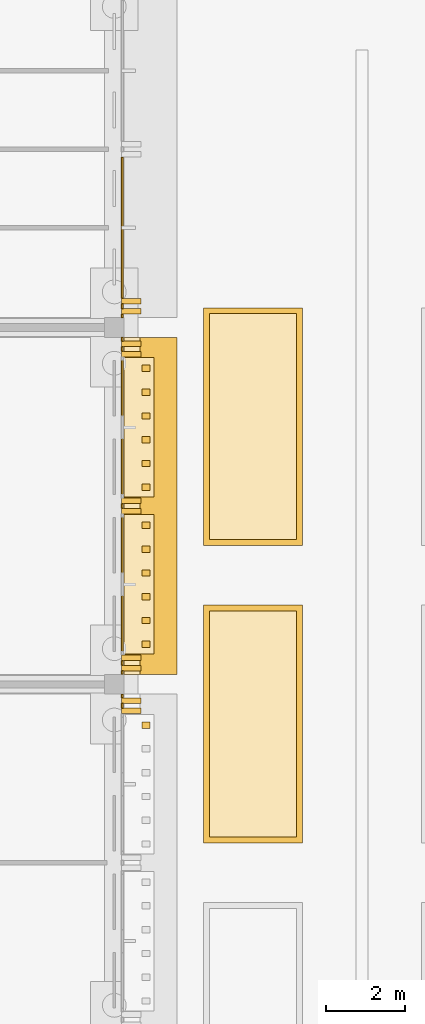
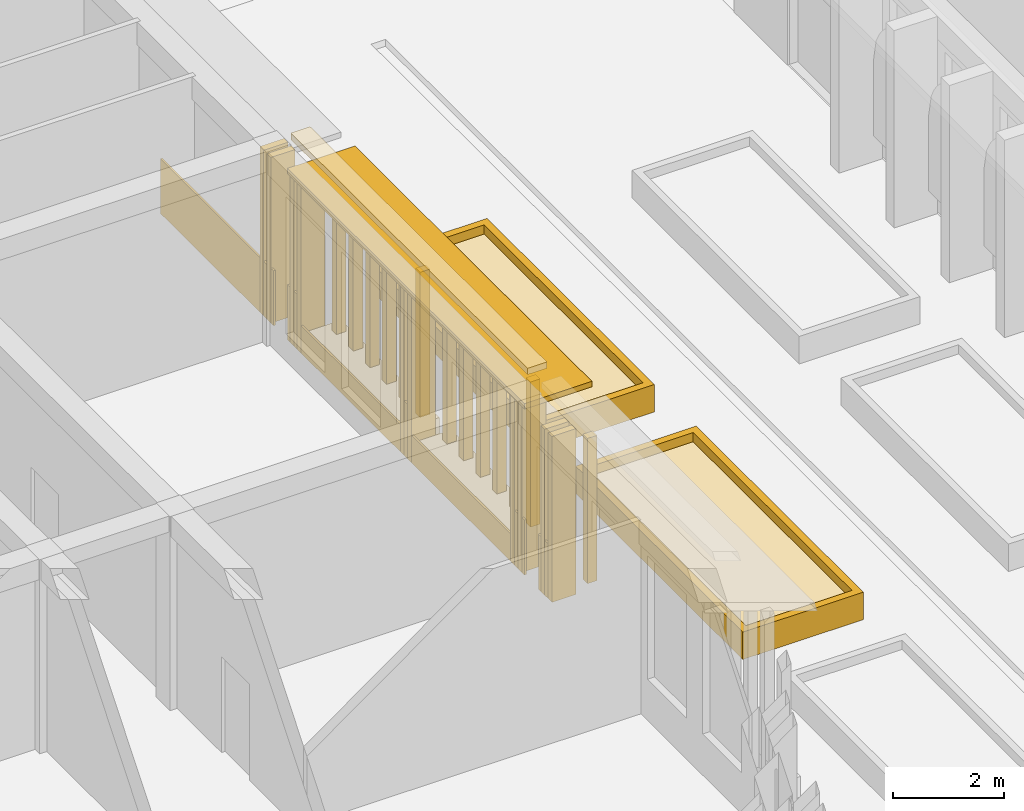
# One storey, part 133 of 161: 42 coverings, 1 shading device.
"""IFC4 building model written with IfcOpenShell, lengths in metres."""

import ifcopenshell
import ifcopenshell.guid

model = None  # the IFC model being written
_history = None  # IfcOwnerHistory: only IFC2X3 demands one
_inside = {}  # id of a spatial element -> (the spatial element, [elements in it])
_under = {}  # id of a project, library or spatial element -> (it, [spatial elements below it])
_declared = {}  # id of a project -> (the project, [libraries it declares])
_typed = {}  # id of a type object -> (the type object, [elements of that type])
_made_of = {}  # id of a material, layer set ... -> (it, [elements and type objects made of it])


def new_model(schema):
    """Start an empty IFC model of exactly this schema.

    Asked for "IFC4X3", IfcOpenShell would pick the latest addendum, in which some entities
    have other attributes; the version numbers below select the first issue.
    IFC2X3 requires an IfcOwnerHistory on every rooted entity: one is made here for all.
    """
    global model, _history
    if schema == "IFC4X3":
        model = ifcopenshell.file(schema_version=(4, 3, 0, 0))
    else:
        model = ifcopenshell.file(schema=schema)
    _inside.clear()
    _under.clear()
    _declared.clear()
    _typed.clear()
    _made_of.clear()
    _history = None
    if model.schema == "IFC2X3":
        org = make("IfcOrganization", Name="unknown")
        user = make(
            "IfcPersonAndOrganization",
            ThePerson=make("IfcPerson", FamilyName="unknown"),
            TheOrganization=org,
        )
        app = make(
            "IfcApplication",
            ApplicationDeveloper=org,
            Version="unknown",
            ApplicationFullName="unknown",
            ApplicationIdentifier="unknown",
        )
        _history = make(
            "IfcOwnerHistory",
            OwningUser=user,
            OwningApplication=app,
            ChangeAction="ADDED",
            CreationDate=0,
        )
    return model


def make(cls, **values):
    """One entity of the class cls with the attributes given. An attribute that is None is left unset."""
    return model.create_entity(
        cls, **{name: value for name, value in values.items() if value is not None}
    )


def rooted(cls, **values):
    """An entity with a GlobalId (a new one), such as an element, a storey or a relation."""
    return make(cls, GlobalId=ifcopenshell.guid.new(), OwnerHistory=_history, **values)


def si_unit(unit_type, name, prefix=None):
    """IfcSIUnit, for example si_unit("LENGTHUNIT", "METRE", prefix="MILLI")."""
    return make("IfcSIUnit", UnitType=unit_type, Prefix=prefix, Name=name)


def assignment(units):
    """IfcUnitAssignment: the units of a project."""
    return None if units is None else make("IfcUnitAssignment", Units=units)


def point(xyz):
    """IfcCartesianPoint."""
    return None if xyz is None else make("IfcCartesianPoint", Coordinates=xyz)


def direction(xyz):
    """IfcDirection."""
    return None if xyz is None else make("IfcDirection", DirectionRatios=xyz)


def frame(location, z_axis=None, x_axis=None):
    """IfcAxis2Placement3D, a coordinate frame: its origin and axes. An axis left out is left unset."""
    return make(
        "IfcAxis2Placement3D",
        Location=point(location),
        Axis=direction(z_axis),
        RefDirection=direction(x_axis),
    )


def frame_2d(location, x_axis=None):
    """IfcAxis2Placement2D, a coordinate frame in the plane: its origin and x axis."""
    return make(
        "IfcAxis2Placement2D", Location=point(location), RefDirection=direction(x_axis)
    )


def origin():
    """The frame at (0, 0, 0) with its axes left unset."""
    return frame((0.0, 0.0, 0.0))


def origin_2d():
    """The frame at (0, 0) in the plane with its x axis left unset."""
    return frame_2d((0.0, 0.0))


def place(relative_to, where):
    """IfcLocalPlacement: puts the frame where relative to a parent placement (None: the world)."""
    return make(
        "IfcLocalPlacement", PlacementRelTo=relative_to, RelativePlacement=where
    )


def context(
    kind, dimensions, precision=None, world=None, true_north=None, identifier=None
):
    """IfcGeometricRepresentationContext, for example the 3D "Model" context."""
    return make(
        "IfcGeometricRepresentationContext",
        ContextIdentifier=identifier,
        ContextType=kind,
        CoordinateSpaceDimension=dimensions,
        Precision=precision,
        WorldCoordinateSystem=world,
        TrueNorth=true_north,
    )


def subcontext(parent, identifier, kind, view, scale=None):
    """IfcGeometricRepresentationSubContext, for example "Body" below "Model"."""
    return make(
        "IfcGeometricRepresentationSubContext",
        ContextIdentifier=identifier,
        ContextType=kind,
        ParentContext=parent,
        TargetScale=scale,
        TargetView=view,
    )


def project(units=None, contexts=None):
    """IfcProject with its units and contexts."""
    return rooted(
        "IfcProject",
        Name="project",
        RepresentationContexts=contexts,
        UnitsInContext=assignment(units),
    )


def spatial(cls, under=None, at=None, **own):
    """A site, building, storey or space (cls), placed at a placement, below another one or the project."""
    s = rooted(cls, ObjectPlacement=at, **own)
    if under is not None:
        _under.setdefault(under.id(), (under, []))[1].append(s)
    return s


def polyline(points):
    """IfcPolyline through the points."""
    return make("IfcPolyline", Points=[point(p) for p in points])


def profile(cls, at=None, kind="AREA", **sizes):
    """A parametric profile (cls). Its sizes go by their IFC names, for example OverallWidth=200.0."""
    return make(cls, ProfileType=kind, Position=at, **sizes)


def rectangle(**sizes):
    """IfcRectangleProfileDef."""
    return profile("IfcRectangleProfileDef", **sizes)


def outline(outer, holes=None, kind="AREA"):
    """IfcArbitraryClosedProfileDef: a profile drawn as a closed curve; with holes, ...WithVoids."""
    if holes is None:
        return make("IfcArbitraryClosedProfileDef", ProfileType=kind, OuterCurve=outer)
    return make(
        "IfcArbitraryProfileDefWithVoids",
        ProfileType=kind,
        OuterCurve=outer,
        InnerCurves=holes,
    )


def extrude(swept, where, along, depth):
    """IfcExtrudedAreaSolid: the profile swept, set in the frame where, extruded along a direction by depth."""
    return make(
        "IfcExtrudedAreaSolid",
        SweptArea=swept,
        Position=where,
        ExtrudedDirection=direction(along),
        Depth=depth,
    )


def shape(context_of_items, identifier, shape_type, items):
    """IfcShapeRepresentation: the items that make up one representation, for example the "Body"."""
    return make(
        "IfcShapeRepresentation",
        ContextOfItems=context_of_items,
        RepresentationIdentifier=identifier,
        RepresentationType=shape_type,
        Items=items,
    )


def material(Name=None, Category=None):
    """IfcMaterial."""
    return make("IfcMaterial", Name=Name, Category=Category)


def layer(
    of_material, thickness, ventilated=None, Name=None, Category=None, Priority=None
):
    """IfcMaterialLayer: one layer of a wall or slab, of a material (None: an air gap)."""
    return make(
        "IfcMaterialLayer",
        Material=of_material,
        LayerThickness=thickness,
        IsVentilated=ventilated,
        Name=Name,
        Category=Category,
        Priority=Priority,
    )


def layer_set(layers, Name=None):
    """IfcMaterialLayerSet."""
    return make("IfcMaterialLayerSet", MaterialLayers=layers, LayerSetName=Name)


def made_of(thing, what):
    """Note that an element or type object is made of a material, layer set ...; save() writes the relation."""
    if what is not None:
        _made_of.setdefault(what.id(), (what, []))[1].append(thing)
    return thing


def type_object(cls, material=None, **own):
    """A type object (cls), such as IfcWallType, which elements share."""
    return made_of(rooted(cls, **own), material)


def element(
    cls,
    number,
    at=None,
    inside=None,
    cuts=None,
    type_object=None,
    material=None,
    context=None,
    identifier="Body",
    shape_type=None,
    held_by="IfcProductDefinitionShape",
    body=None,
    shapes=None,
    **own,
):
    """One element of the class cls, such as IfcWall. Its Tag is "e" and its number.

    at: its placement. inside: the storey or other place that contains it. cuts: it is an
    opening in that element (IfcRelVoidsElement). A single representation is given by context,
    identifier, shape_type and body (its items); several are given by shapes. held_by: the class
    of the entity that holds the representations. save() writes the other relations.
    """
    e = rooted(cls, Tag="e%d" % number, ObjectPlacement=at, **own)
    if body is not None:
        shapes = [shape(context, identifier, shape_type, body)]
    if shapes is not None:
        e.Representation = make(held_by, Representations=shapes)
    if inside is not None:
        _inside.setdefault(inside.id(), (inside, []))[1].append(e)
    if cuts is not None:
        rooted(
            "IfcRelVoidsElement", RelatingBuildingElement=cuts, RelatedOpeningElement=e
        )
    if type_object is not None:
        _typed.setdefault(type_object.id(), (type_object, []))[1].append(e)
    return made_of(e, material)


def aggregate(whole, parts):
    """IfcRelAggregates: a whole, such as a stair, and the parts it consists of."""
    return rooted("IfcRelAggregates", RelatingObject=whole, RelatedObjects=parts)


def save(model, path):
    """Write the relations noted so far, then the file.

    IfcRelAggregates (storeys below a building ...), IfcRelContainedInSpatialStructure (elements
    in a storey), IfcRelDefinesByType, IfcRelAssociatesMaterial and IfcRelDeclares: one each for
    every whole, place, type object, material and project.
    """
    for whole, parts in _under.values():
        aggregate(whole, parts)
    for where, things in _inside.values():
        rooted(
            "IfcRelContainedInSpatialStructure",
            RelatedElements=things,
            RelatingStructure=where,
        )
    for kind, things in _typed.values():
        rooted("IfcRelDefinesByType", RelatedObjects=things, RelatingType=kind)
    for what, things in _made_of.values():
        rooted("IfcRelAssociatesMaterial", RelatedObjects=things, RelatingMaterial=what)
    for by, libraries in _declared.values():
        rooted("IfcRelDeclares", RelatingContext=by, RelatedDefinitions=libraries)
    model.write(path)


model = new_model("IFC4")

# Units and contexts
model_context = context("Model", 3, precision=1e-05, world=origin(), true_north=direction((0.0, 1.0)))
body_context = subcontext(model_context, "Body", "Model", "MODEL_VIEW")
ifc_project = project(units=[si_unit("LENGTHUNIT", "METRE"), si_unit("AREAUNIT", "SQUARE_METRE"), si_unit("VOLUMEUNIT", "CUBIC_METRE"), si_unit("PLANEANGLEUNIT", "RADIAN"), si_unit("MASSUNIT", "GRAM", prefix="KILO")], contexts=[model_context])

# Site, building, storey
site_placement = place(None, origin())
site = spatial("IfcSite", under=ifc_project, at=site_placement, CompositionType="ELEMENT")
building_placement = place(site_placement, origin())
building = spatial("IfcBuilding", under=site, at=building_placement, Name="Elbe Cascade School", CompositionType="ELEMENT")
storey_placement = place(building_placement, origin())
storey = spatial("IfcBuildingStorey", under=building, at=storey_placement, Name="L00", CompositionType="ELEMENT", Elevation=0.0)

# Shading device
ifc_material_1 = material(Name="Precast concrete C30/37", Category="concrete")
ifc_layer_1 = layer(ifc_material_1, 0.1201171875)
ifc_layer_set_1 = layer_set([ifc_layer_1], Name="Precast concrete C30/37")
shading_device_type = type_object("IfcShadingDeviceType", Name="Bars envelope Chhajja eave, precast concrete, 1400 x 120", PredefinedType="USERDEFINED", material=ifc_layer_set_1)
shading_device_placement = place(storey_placement, frame((146.179931640625, 46.5, 3.6298828125), z_axis=(0.0, 0.0, 1.0), x_axis=(0.0, 1.0, 0.0)))
element("IfcShadingDevice", 1, at=shading_device_placement, inside=storey, type_object=shading_device_type, Name="Chhajja eave SD8 C.L00.e5", ObjectType="CHHAJJA", PredefinedType="USERDEFINED", context=body_context, shape_type="SweptSolid", body=[
    extrude(rectangle(XDim=8.5, YDim=1.39990234375, at=origin_2d()), origin(), (0.0, 0.0, 1.0), 0.1201171875),
])

# Coverings
ifc_material_2 = material(Name="Precast concrete C40/50", Category="concrete")
covering_type_1 = type_object("IfcCoveringType", Name="Bars envelope Precast concrete fin, 140 wide, 500 deep", PredefinedType="CLADDING", material=ifc_material_2)
for number, where, z_axis, x_axis, name in (
    (2, (145.72998046875, 41.330078125, 0.0), (0.0, 0.0, 1.0), (0.0, 1.0, 0.0), "Fin CV62 C.L00.e4.5"),
    (3, (145.72998046875, 41.590087890625, 0.0), (0.0, 0.0, 1.0), (0.0, 1.0, 0.0), "Fin CV62 C.L00.e4.6"),
    (4, (145.72998046875, 42.409912109375, 0.0), (0.0, 0.0, 1.0), (0.0, 1.0, 0.0), "Fin CV62 C.L00.e5.1"),
    (5, (145.72998046875, 42.669921875, 0.0), (0.0, 0.0, 1.0), (0.0, 1.0, 0.0), "Fin CV62 C.L00.e5.2"),
    (6, (145.72998046875, 46.3701171875, 0.0), (0.0, 0.0, 1.0), (0.0, 1.0, 0.0), "Fin CV62 C.L00.e5.3"),
    (7, (145.72998046875, 46.6298828125, 0.0), (0.0, 0.0, 1.0), (0.0, 1.0, 0.0), "Fin CV62 C.L00.e5.4"),
    (8, (145.72998046875, 50.330078125, 0.0), (0.0, 0.0, 1.0), (0.0, 1.0, 0.0), "Fin CV62 C.L00.e5.5"),
    (9, (145.72998046875, 50.590087890625, 0.0), (0.0, 0.0, 1.0), (0.0, 1.0, 0.0), "Fin CV62 C.L00.e5.6"),
    (10, (145.72998046875, 51.409912109375, 0.0), (0.0, 0.0, 1.0), (0.0, 1.0, 0.0), "Fin CV62 C.L00.e6.1"),
    (11, (145.72998046875, 51.669921875, 0.0), (0.0, 0.0, 1.0), (0.0, 1.0, 0.0), "Fin CV62 C.L00.e6.2"),
):
    element("IfcCovering", number, at=place(storey_placement, frame(where, z_axis=z_axis, x_axis=x_axis)), inside=storey, type_object=covering_type_1, Name=name, PredefinedType="CLADDING", context=body_context, shape_type="SweptSolid", body=[
        extrude(rectangle(XDim=0.139892578125, YDim=0.5, at=origin_2d()), origin(), (0.0, 0.0, 1.0), 3.6298828125),
    ])
ifc_material_3 = material(Name="Sandstone - red", Category="masonry")
ifc_layer_2 = layer(ifc_material_3, 0.0400390625)
ifc_layer_set_2 = layer_set([ifc_layer_2], Name="Sandstone - red")
covering_type_2 = type_object("IfcCoveringType", Name="Bars envelope Sandstone cladding, red, 40 mm", PredefinedType="CLADDING", material=ifc_layer_set_2)
covering_1_placement = place(storey_placement, frame((145.5, 41.4599609375, 0.0), z_axis=(0.0, 0.0, 1.0), x_axis=(0.0, 1.0, 0.0)))
element("IfcCovering", 12, at=covering_1_placement, inside=storey, type_object=covering_type_2, Name="Sandstone cladding CV48 C.L00.e.4.6", PredefinedType="CLADDING", context=body_context, shape_type="SweptSolid", body=[
    extrude(rectangle(XDim=0.1201171875, YDim=0.0400390625, at=origin_2d()), origin(), (0.0, 0.0, 1.0), 1.199951171875),
])
for number, where, z_axis, x_axis, name in (
    (13, (145.5, 41.705078125, 0.0), (0.0, 0.0, 1.0), (0.0, 1.0, 0.0), "Sandstone cladding CV48 C.L00.e.4.7"),
    (14, (145.5, 42.294921875, 0.0), (0.0, 0.0, 1.0), (0.0, 1.0, 0.0), "Sandstone cladding CV48 C.L00.e.5.1"),
):
    element("IfcCovering", number, at=place(storey_placement, frame(where, z_axis=z_axis, x_axis=x_axis)), inside=storey, type_object=covering_type_2, Name=name, PredefinedType="CLADDING", context=body_context, shape_type="SweptSolid", body=[
        extrude(rectangle(XDim=0.090087890625, YDim=0.0400390625, at=origin_2d()), origin(), (0.0, 0.0, 1.0), 1.199951171875),
    ])
covering_2_placement = place(storey_placement, frame((145.5, 42.5400390625, 0.0), z_axis=(0.0, 0.0, 1.0), x_axis=(0.0, 1.0, 0.0)))
element("IfcCovering", 15, at=covering_2_placement, inside=storey, type_object=covering_type_2, Name="Sandstone cladding CV48 C.L00.e.5.2", PredefinedType="CLADDING", context=body_context, shape_type="SweptSolid", body=[
    extrude(rectangle(XDim=0.1201171875, YDim=0.0400390625, at=origin_2d()), origin(), (0.0, 0.0, 1.0), 1.199951171875),
])
covering_3_placement = place(storey_placement, frame((145.5, 44.52001953125, 0.0), z_axis=(0.0, 0.0, 1.0), x_axis=(0.0, 1.0, 0.0)))
element("IfcCovering", 16, at=covering_3_placement, inside=storey, type_object=covering_type_2, Name="Sandstone cladding CV48 C.L00.e.5.3", PredefinedType="CLADDING", context=body_context, shape_type="SweptSolid", body=[
    extrude(rectangle(XDim=3.56005859375, YDim=0.0400390625, at=origin_2d()), origin(), (0.0, 0.0, 1.0), 0.60009765625),
])
covering_4_placement = place(storey_placement, frame((145.5, 46.5, 0.0), z_axis=(0.0, 0.0, 1.0), x_axis=(0.0, 1.0, 0.0)))
element("IfcCovering", 17, at=covering_4_placement, inside=storey, type_object=covering_type_2, Name="Sandstone cladding CV48 C.L00.e.5.4", PredefinedType="CLADDING", context=body_context, shape_type="SweptSolid", body=[
    extrude(rectangle(XDim=0.1201171875, YDim=0.0400390625, at=origin_2d()), origin(), (0.0, 0.0, 1.0), 1.199951171875),
])
covering_5_placement = place(storey_placement, frame((145.5, 48.47998046875, 0.0), z_axis=(0.0, 0.0, 1.0), x_axis=(0.0, 1.0, 0.0)))
element("IfcCovering", 18, at=covering_5_placement, inside=storey, type_object=covering_type_2, Name="Sandstone cladding CV48 C.L00.e.5.5", PredefinedType="CLADDING", context=body_context, shape_type="SweptSolid", body=[
    extrude(rectangle(XDim=3.56005859375, YDim=0.0400390625, at=origin_2d()), origin(), (0.0, 0.0, 1.0), 0.60009765625),
])
covering_6_placement = place(storey_placement, frame((145.5, 50.4599609375, 0.0), z_axis=(0.0, 0.0, 1.0), x_axis=(0.0, 1.0, 0.0)))
element("IfcCovering", 19, at=covering_6_placement, inside=storey, type_object=covering_type_2, Name="Sandstone cladding CV48 C.L00.e.5.6", PredefinedType="CLADDING", context=body_context, shape_type="SweptSolid", body=[
    extrude(rectangle(XDim=0.1201171875, YDim=0.0400390625, at=origin_2d()), origin(), (0.0, 0.0, 1.0), 1.199951171875),
])
for number, where, z_axis, x_axis, name in (
    (20, (145.5, 50.705078125, 0.0), (0.0, 0.0, 1.0), (0.0, 1.0, 0.0), "Sandstone cladding CV48 C.L00.e.5.7"),
    (21, (145.5, 51.294921875, 0.0), (0.0, 0.0, 1.0), (0.0, 1.0, 0.0), "Sandstone cladding CV48 C.L00.e.6.1"),
):
    element("IfcCovering", number, at=place(storey_placement, frame(where, z_axis=z_axis, x_axis=x_axis)), inside=storey, type_object=covering_type_2, Name=name, PredefinedType="CLADDING", context=body_context, shape_type="SweptSolid", body=[
        extrude(rectangle(XDim=0.090087890625, YDim=0.0400390625, at=origin_2d()), origin(), (0.0, 0.0, 1.0), 1.199951171875),
    ])
covering_7_placement = place(storey_placement, frame((145.5, 51.5400390625, 0.0), z_axis=(0.0, 0.0, 1.0), x_axis=(0.0, 1.0, 0.0)))
element("IfcCovering", 22, at=covering_7_placement, inside=storey, type_object=covering_type_2, Name="Sandstone cladding CV48 C.L00.e.6.2", PredefinedType="CLADDING", context=body_context, shape_type="SweptSolid", body=[
    extrude(rectangle(XDim=0.1201171875, YDim=0.0400390625, at=origin_2d()), origin(), (0.0, 0.0, 1.0), 1.199951171875),
])
covering_8_placement = place(storey_placement, frame((145.5, 53.52001953125, 0.0), z_axis=(0.0, 0.0, 1.0), x_axis=(0.0, 1.0, 0.0)))
element("IfcCovering", 23, at=covering_8_placement, inside=storey, type_object=covering_type_2, Name="Sandstone cladding CV48 C.L00.e.6.3", PredefinedType="CLADDING", context=body_context, shape_type="SweptSolid", body=[
    extrude(rectangle(XDim=3.56005859375, YDim=0.0400390625, at=origin_2d()), origin(), (0.0, 0.0, 1.0), 1.199951171875),
])
ifc_material_4 = material(Name="Sandstone - red", Category="masonry")
covering_type_3 = type_object("IfcCoveringType", Name="Bars envelope Sandstone floor ledge, 400 deep", PredefinedType="CLADDING", material=ifc_material_4)
covering_9_placement = place(storey_placement, frame((145.75, 46.5, 4.35986328125), z_axis=(0.0, 0.0, 1.0), x_axis=(0.0, 1.0, 0.0)))
element("IfcCovering", 24, at=covering_9_placement, inside=storey, type_object=covering_type_3, Name="Floor ledge CV64 C.L00.e4.1", PredefinedType="CLADDING", context=body_context, shape_type="SweptSolid", body=[
    extrude(rectangle(XDim=8.5, YDim=0.39990234375, at=origin_2d()), origin(), (0.0, 0.0, 1.0), 0.139892578125),
])
ifc_material_5 = material(Name="Sandstone - red", Category="masonry")
covering_type_4 = type_object("IfcCoveringType", Name="Bars envelope Sandstone planter kerb, 750 deep", PredefinedType="CLADDING", material=ifc_material_5)
for number, where, z_axis, x_axis, name in (
    (25, (145.925048828125, 44.52001953125, 0.0), (0.0, 0.0, 1.0), (0.0, 1.0, 0.0), "Planter kerb CV65 C.L00.e4.1"),
    (26, (145.925048828125, 48.47998046875, 0.0), (0.0, 0.0, 1.0), (0.0, 1.0, 0.0), "Planter kerb CV65 C.L00.e4.2"),
):
    element("IfcCovering", number, at=place(storey_placement, frame(where, z_axis=z_axis, x_axis=x_axis)), inside=storey, type_object=covering_type_4, Name=name, PredefinedType="CLADDING", context=body_context, shape_type="SweptSolid", body=[
        extrude(rectangle(XDim=3.52001953125, YDim=0.75, at=origin_2d()), origin(), (0.0, 0.0, 1.0), 0.449951171875),
    ])
ifc_material_6 = material(Name="Sandstone - red", Category="masonry")
covering_type_5 = type_object("IfcCoveringType", Name="Bars envelope Sandstone slat, 160 wide, 200 deep", PredefinedType="CLADDING", material=ifc_material_6)
for number, where, z_axis, x_axis, name in (
    (27, (146.10009765625, 40.969970703125, 0.4501953125), (0.0, 0.0, 1.0), (0.0, 1.0, 0.0), "Slat CV66 C.L00.e3.2.6"),
    (28, (146.10009765625, 43.010009765625, 0.4501953125), (0.0, 0.0, 1.0), (0.0, 1.0, 0.0), "Slat CV66 C.L00.e4.1.1"),
    (29, (146.10009765625, 43.610107421875, 0.4501953125), (0.0, 0.0, 1.0), (0.0, 1.0, 0.0), "Slat CV66 C.L00.e4.1.2"),
    (30, (146.10009765625, 44.2099609375, 0.4501953125), (0.0, 0.0, 1.0), (0.0, 1.0, 0.0), "Slat CV66 C.L00.e4.1.3"),
    (31, (146.10009765625, 44.81005859375, 0.4501953125), (0.0, 0.0, 1.0), (0.0, 1.0, 0.0), "Slat CV66 C.L00.e4.1.4"),
    (32, (146.10009765625, 45.409912109375, 0.4501953125), (0.0, 0.0, 1.0), (0.0, 1.0, 0.0), "Slat CV66 C.L00.e4.1.5"),
    (33, (146.10009765625, 46.010009765625, 0.4501953125), (0.0, 0.0, 1.0), (0.0, 1.0, 0.0), "Slat CV66 C.L00.e4.1.6"),
    (34, (146.10009765625, 46.969970703125, 0.4501953125), (0.0, 0.0, 1.0), (0.0, 1.0, 0.0), "Slat CV66 C.L00.e4.2.1"),
    (35, (146.10009765625, 47.570068359375, 0.4501953125), (0.0, 0.0, 1.0), (0.0, 1.0, 0.0), "Slat CV66 C.L00.e4.2.2"),
    (36, (146.10009765625, 48.169921875, 0.4501953125), (0.0, 0.0, 1.0), (0.0, 1.0, 0.0), "Slat CV66 C.L00.e4.2.3"),
    (37, (146.10009765625, 48.77001953125, 0.4501953125), (0.0, 0.0, 1.0), (0.0, 1.0, 0.0), "Slat CV66 C.L00.e4.2.4"),
    (38, (146.10009765625, 49.3701171875, 0.4501953125), (0.0, 0.0, 1.0), (0.0, 1.0, 0.0), "Slat CV66 C.L00.e4.2.5"),
    (39, (146.10009765625, 49.969970703125, 0.4501953125), (0.0, 0.0, 1.0), (0.0, 1.0, 0.0), "Slat CV66 C.L00.e4.2.6"),
):
    element("IfcCovering", number, at=place(storey_placement, frame(where, z_axis=z_axis, x_axis=x_axis)), inside=storey, type_object=covering_type_5, Name=name, PredefinedType="CLADDING", context=body_context, shape_type="SweptSolid", body=[
        extrude(rectangle(XDim=0.159912109375, YDim=0.199951171875, at=origin_2d()), origin(), (0.0, 0.0, 1.0), 3.179931640625),
    ])
ifc_material_7 = material(Name="Planting - soil and shrubs", Category="soil")
ifc_layer_3 = layer(ifc_material_7, 0.39990234375)
ifc_layer_set_3 = layer_set([ifc_layer_3], Name="Planting - soil and shrubs")
covering_type_6 = type_object("IfcCoveringType", Name="Site planting bed 400", PredefinedType="USERDEFINED", material=ifc_layer_set_3)
covering_10_placement = place(storey_placement, origin())
element("IfcCovering", 40, at=covering_10_placement, inside=storey, type_object=covering_type_6, Name="Court C-D planting bed west 5", ObjectType="PLANTING BED", PredefinedType="USERDEFINED", context=body_context, shape_type="SweptSolid", body=[
    extrude(outline(polyline([(147.699951171875, 38.14990234375), (149.89990234375, 38.14990234375), (149.89990234375, 43.85009765625), (147.699951171875, 43.85009765625), (147.699951171875, 38.14990234375)])), origin(), (0.0, 0.0, 1.0), 0.39990234375),
])
covering_11_placement = place(storey_placement, origin())
element("IfcCovering", 41, at=covering_11_placement, inside=storey, type_object=covering_type_6, Name="Court C-D planting bed west 6", ObjectType="PLANTING BED", PredefinedType="USERDEFINED", context=body_context, shape_type="SweptSolid", body=[
    extrude(outline(polyline([(147.699951171875, 45.64990234375), (149.89990234375, 45.64990234375), (149.89990234375, 51.35009765625), (147.699951171875, 51.35009765625), (147.699951171875, 45.64990234375)])), origin(), (0.0, 0.0, 1.0), 0.39990234375),
])
ifc_material_8 = material(Name="Concrete C30/37 precast kerb", Category="concrete")
ifc_layer_4 = layer(ifc_material_8, 0.14990234375)
ifc_layer_set_4 = layer_set([ifc_layer_4], Name="Concrete C30/37 precast kerb")
covering_type_7 = type_object("IfcCoveringType", Name="Site planting bed kerb 150x600", PredefinedType="CLADDING", material=ifc_layer_set_4)
covering_12_placement = place(storey_placement, origin())
element("IfcCovering", 42, at=covering_12_placement, inside=storey, type_object=covering_type_7, Name="Court C-D planting bed kerb west 5", PredefinedType="CLADDING", context=body_context, shape_type="SweptSolid", body=[
    extrude(outline(polyline([(147.550048828125, 38.0), (150.050048828125, 38.0), (150.050048828125, 44.0), (147.550048828125, 44.0), (147.550048828125, 38.0)]), holes=[polyline([(147.699951171875, 38.14990234375), (149.89990234375, 38.14990234375), (149.89990234375, 43.85009765625), (147.699951171875, 43.85009765625), (147.699951171875, 38.14990234375)])]), origin(), (0.0, 0.0, 1.0), 0.60009765625),
])
covering_13_placement = place(storey_placement, origin())
element("IfcCovering", 43, at=covering_13_placement, inside=storey, type_object=covering_type_7, Name="Court C-D planting bed kerb west 6", PredefinedType="CLADDING", context=body_context, shape_type="SweptSolid", body=[
    extrude(outline(polyline([(147.550048828125, 45.5), (150.050048828125, 45.5), (150.050048828125, 51.5), (147.550048828125, 51.5), (147.550048828125, 45.5)]), holes=[polyline([(147.699951171875, 45.64990234375), (149.89990234375, 45.64990234375), (149.89990234375, 51.35009765625), (147.699951171875, 51.35009765625), (147.699951171875, 45.64990234375)])]), origin(), (0.0, 0.0, 1.0), 0.60009765625),
])

save(model, "model.ifc")
